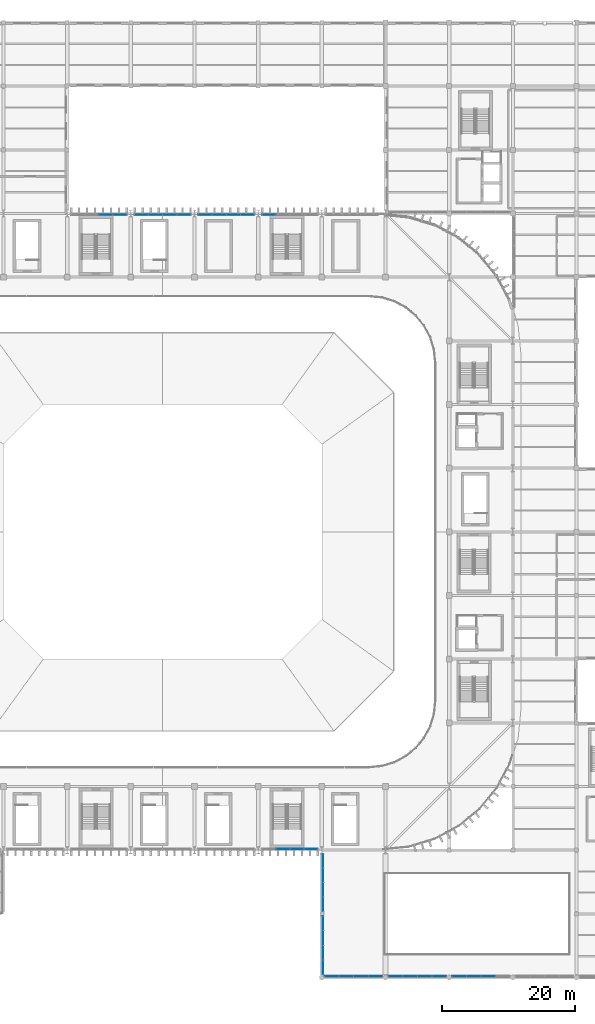
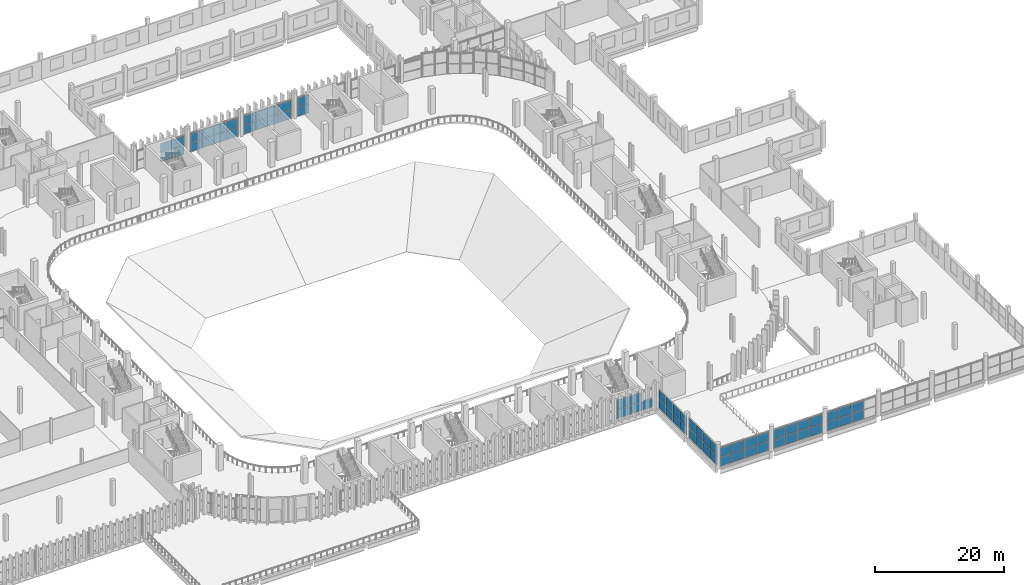
# One storey, part 53 of 99: 65 plates, 10 elements without a shape of their own.
"""IFC4 building model written with IfcOpenShell, lengths in metres."""

from ifc_helpers import new_model, si_unit, direction, frame, origin, origin_2d, place, context, subcontext, project, spatial, rectangle, extrude, material, layer, layer_set, type_object, element, aggregate, save


model = new_model("IFC4")

# Units and contexts
model_context = context("Model", 3, precision=1e-05, world=origin(), true_north=direction((0.0, 1.0)))
body_context = subcontext(model_context, "Body", "Model", "MODEL_VIEW")
ifc_project = project(units=[si_unit("LENGTHUNIT", "METRE"), si_unit("AREAUNIT", "SQUARE_METRE"), si_unit("VOLUMEUNIT", "CUBIC_METRE"), si_unit("PLANEANGLEUNIT", "RADIAN"), si_unit("MASSUNIT", "GRAM", prefix="KILO")], contexts=[model_context])

# Site, building, storey
site_placement = place(None, origin())
site = spatial("IfcSite", under=ifc_project, at=site_placement, CompositionType="ELEMENT")
building_placement = place(site_placement, origin())
building = spatial("IfcBuilding", under=site, at=building_placement, Name="Caelomonte Colonnade Arena", CompositionType="ELEMENT")
storey_placement = place(building_placement, frame((0.0, 0.0, 4.800048828125)))
storey = spatial("IfcBuildingStorey", under=building, at=storey_placement, Name="L01", CompositionType="ELEMENT", Elevation=4.800048828125)

# Curtain wall, plates
ifc_material_1 = material(Name="Bronze anodised aluminium and low-E glazing", Category="aluminium")
ifc_layer_1 = layer(ifc_material_1, 0.179931640625)
ifc_layer_set_1 = layer_set([ifc_layer_1], Name="Bronze anodised aluminium and low-E glazing")
curtain_wall_type_1 = type_object("IfcCurtainWallType", Name="ENV-CW-CW-L01-96-36", PredefinedType="USERDEFINED", material=ifc_layer_set_1)
curtain_wall_1_placement = place(storey_placement, origin())
curtain_wall_1 = element("IfcCurtainWall", 1, at=curtain_wall_1_placement, inside=storey, type_object=curtain_wall_type_1, Name="L01 unitized curtain wall CW-L01-1296-0194", ObjectType="UNITIZED CURTAIN WALL", PredefinedType="USERDEFINED")
ifc_material_2 = material(Name="Solar-control bronze low-E double glazing", Category="glass")
ifc_layer_2 = layer(ifc_material_2, 0.028076171875)
ifc_layer_set_2 = layer_set([ifc_layer_2], Name="Solar-control bronze low-E double glazing")
plate_type = type_object("IfcPlateType", Name="ENV-CW-PAN28", PredefinedType="CURTAIN_PANEL", material=ifc_layer_set_2)
plate_1_placement = place(storey_placement, frame((128.531494140625, 19.3798828125, 0.070068359375), z_axis=(0.0, 0.0, 1.0), x_axis=(1.0, 0.0, 0.0)))
plate_1 = element("IfcPlate", 2, at=plate_1_placement, type_object=plate_type, Name="CW-L01-96-36 panel 2.1", PredefinedType="CURTAIN_PANEL", context=body_context, shape_type="SweptSolid", body=[
    extrude(rectangle(XDim=2.067138671875, YDim=0.028076171875, at=origin_2d()), origin(), (0.0, 0.0, 1.0), 1.69140625),
])
plate_2_placement = place(storey_placement, frame((128.531494140625, 19.3798828125, 1.83154296875), z_axis=(0.0, 0.0, 1.0), x_axis=(1.0, 0.0, 0.0)))
plate_2 = element("IfcPlate", 3, at=plate_2_placement, type_object=plate_type, Name="CW-L01-96-36 panel 2.2", PredefinedType="CURTAIN_PANEL", context=body_context, shape_type="SweptSolid", body=[
    extrude(rectangle(XDim=2.067138671875, YDim=0.028076171875, at=origin_2d()), origin(), (0.0, 0.0, 1.0), 1.69140625),
])
plate_3_placement = place(storey_placement, frame((130.668701171875, 19.3798828125, 0.070068359375), z_axis=(0.0, 0.0, 1.0), x_axis=(1.0, 0.0, 0.0)))
plate_3 = element("IfcPlate", 4, at=plate_3_placement, type_object=plate_type, Name="CW-L01-96-36 panel 3.1", PredefinedType="CURTAIN_PANEL", context=body_context, shape_type="SweptSolid", body=[
    extrude(rectangle(XDim=2.067138671875, YDim=0.028076171875, at=origin_2d()), origin(), (0.0, 0.0, 1.0), 1.69140625),
])
plate_4_placement = place(storey_placement, frame((130.668701171875, 19.3798828125, 1.83154296875), z_axis=(0.0, 0.0, 1.0), x_axis=(1.0, 0.0, 0.0)))
plate_4 = element("IfcPlate", 5, at=plate_4_placement, type_object=plate_type, Name="CW-L01-96-36 panel 3.2", PredefinedType="CURTAIN_PANEL", context=body_context, shape_type="SweptSolid", body=[
    extrude(rectangle(XDim=2.067138671875, YDim=0.028076171875, at=origin_2d()), origin(), (0.0, 0.0, 1.0), 1.69140625),
])
plate_5_placement = place(storey_placement, frame((132.788330078125, 19.3798828125, 0.070068359375), z_axis=(0.0, 0.0, 1.0), x_axis=(1.0, 0.0, 0.0)))
plate_5 = element("IfcPlate", 6, at=plate_5_placement, type_object=plate_type, Name="CW-L01-96-36 panel 4.1", PredefinedType="CURTAIN_PANEL", context=body_context, shape_type="SweptSolid", body=[
    extrude(rectangle(XDim=2.0322265625, YDim=0.028076171875, at=origin_2d()), origin(), (0.0, 0.0, 1.0), 1.69140625),
])
aggregate(curtain_wall_1, [plate_1, plate_2, plate_3, plate_4, plate_5])

ifc_layer_3 = layer(ifc_material_1, 0.179931640625)
ifc_layer_set_3 = layer_set([ifc_layer_3], Name="Bronze anodised aluminium and low-E glazing")
curtain_wall_type_2 = type_object("IfcCurtainWallType", Name="ENV-CW-CW-L01-100-36", PredefinedType="USERDEFINED", material=ifc_layer_set_3)
curtain_wall_2_placement = place(storey_placement, origin())
curtain_wall_2 = element("IfcCurtainWall", 7, at=curtain_wall_2_placement, inside=storey, type_object=curtain_wall_type_2, Name="L01 unitized curtain wall CW-L01-1346-0146", ObjectType="UNITIZED CURTAIN WALL", PredefinedType="USERDEFINED")
plate_6_placement = place(storey_placement, frame((134.580078125, 17.56396484375, 0.06494140625), z_axis=(0.0, 0.0, 1.0), x_axis=(0.0, -1.0, 0.0)))
plate_6 = element("IfcPlate", 8, at=plate_6_placement, type_object=plate_type, Name="CW-L01-100-36 panel 1.1", PredefinedType="CURTAIN_PANEL", context=body_context, shape_type="SweptSolid", body=[
    extrude(rectangle(XDim=2.091064453125, YDim=0.028076171875, at=origin_2d()), origin(), (0.0, 0.0, 1.0), 1.698974609375),
])
plate_7_placement = place(storey_placement, frame((134.580078125, 17.56396484375, 1.8291015625), z_axis=(0.0, 0.0, 1.0), x_axis=(0.0, -1.0, 0.0)))
plate_7 = element("IfcPlate", 9, at=plate_7_placement, type_object=plate_type, Name="CW-L01-100-36 panel 1.2", PredefinedType="CURTAIN_PANEL", context=body_context, shape_type="SweptSolid", body=[
    extrude(rectangle(XDim=2.091064453125, YDim=0.028076171875, at=origin_2d()), origin(), (0.0, 0.0, 1.0), 1.698974609375),
])
plate_8_placement = place(storey_placement, frame((134.580078125, 15.3916015625, 0.06494140625), z_axis=(0.0, 0.0, 1.0), x_axis=(0.0, -1.0, 0.0)))
plate_8 = element("IfcPlate", 10, at=plate_8_placement, type_object=plate_type, Name="CW-L01-100-36 panel 2.1", PredefinedType="CURTAIN_PANEL", context=body_context, shape_type="SweptSolid", body=[
    extrude(rectangle(XDim=2.12353515625, YDim=0.028076171875, at=origin_2d()), origin(), (0.0, 0.0, 1.0), 1.698974609375),
])
plate_9_placement = place(storey_placement, frame((134.580078125, 15.3916015625, 1.8291015625), z_axis=(0.0, 0.0, 1.0), x_axis=(0.0, -1.0, 0.0)))
plate_9 = element("IfcPlate", 11, at=plate_9_placement, type_object=plate_type, Name="CW-L01-100-36 panel 2.2", PredefinedType="CURTAIN_PANEL", context=body_context, shape_type="SweptSolid", body=[
    extrude(rectangle(XDim=2.12353515625, YDim=0.028076171875, at=origin_2d()), origin(), (0.0, 0.0, 1.0), 1.698974609375),
])
plate_10_placement = place(storey_placement, frame((134.580078125, 13.202880859375, 0.06494140625), z_axis=(0.0, 0.0, 1.0), x_axis=(0.0, -1.0, 0.0)))
plate_10 = element("IfcPlate", 12, at=plate_10_placement, type_object=plate_type, Name="CW-L01-100-36 panel 3.1", PredefinedType="CURTAIN_PANEL", context=body_context, shape_type="SweptSolid", body=[
    extrude(rectangle(XDim=2.12353515625, YDim=0.028076171875, at=origin_2d()), origin(), (0.0, 0.0, 1.0), 1.698974609375),
])
plate_11_placement = place(storey_placement, frame((134.580078125, 13.202880859375, 1.8291015625), z_axis=(0.0, 0.0, 1.0), x_axis=(0.0, -1.0, 0.0)))
plate_11 = element("IfcPlate", 13, at=plate_11_placement, type_object=plate_type, Name="CW-L01-100-36 panel 3.2", PredefinedType="CURTAIN_PANEL", context=body_context, shape_type="SweptSolid", body=[
    extrude(rectangle(XDim=2.12353515625, YDim=0.028076171875, at=origin_2d()), origin(), (0.0, 0.0, 1.0), 1.698974609375),
])
plate_12_placement = place(storey_placement, frame((134.580078125, 11.030517578125, 0.06494140625), z_axis=(0.0, 0.0, 1.0), x_axis=(0.0, -1.0, 0.0)))
plate_12 = element("IfcPlate", 14, at=plate_12_placement, type_object=plate_type, Name="CW-L01-100-36 panel 4.1", PredefinedType="CURTAIN_PANEL", context=body_context, shape_type="SweptSolid", body=[
    extrude(rectangle(XDim=2.091064453125, YDim=0.028076171875, at=origin_2d()), origin(), (0.0, 0.0, 1.0), 1.698974609375),
])
plate_13_placement = place(storey_placement, frame((134.580078125, 11.030517578125, 1.8291015625), z_axis=(0.0, 0.0, 1.0), x_axis=(0.0, -1.0, 0.0)))
plate_13 = element("IfcPlate", 15, at=plate_13_placement, type_object=plate_type, Name="CW-L01-100-36 panel 4.2", PredefinedType="CURTAIN_PANEL", context=body_context, shape_type="SweptSolid", body=[
    extrude(rectangle(XDim=2.091064453125, YDim=0.028076171875, at=origin_2d()), origin(), (0.0, 0.0, 1.0), 1.698974609375),
])
aggregate(curtain_wall_2, [plate_6, plate_7, plate_8, plate_9, plate_10, plate_11, plate_12, plate_13])

ifc_layer_4 = layer(ifc_material_1, 0.179931640625)
ifc_layer_set_4 = layer_set([ifc_layer_4], Name="Bronze anodised aluminium and low-E glazing")
curtain_wall_type_3 = type_object("IfcCurtainWallType", Name="ENV-CW-CW-L01-92-39", PredefinedType="USERDEFINED", material=ifc_layer_set_4)
curtain_wall_3_placement = place(storey_placement, origin())
curtain_wall_3 = element("IfcCurtainWall", 16, at=curtain_wall_3_placement, inside=storey, type_object=curtain_wall_type_3, Name="L01 unitized curtain wall CW-L01-1346-0050", ObjectType="UNITIZED CURTAIN WALL", PredefinedType="USERDEFINED")
plate_14_placement = place(storey_placement, frame((134.580078125, 8.153076171875, 0.06494140625), z_axis=(0.0, 0.0, 1.0), x_axis=(0.0, -1.0, 0.0)))
plate_14 = element("IfcPlate", 17, at=plate_14_placement, type_object=plate_type, Name="CW-L01-92-39 panel 1.1", PredefinedType="CURTAIN_PANEL", context=body_context, shape_type="SweptSolid", body=[
    extrude(rectangle(XDim=2.123779296875, YDim=0.028076171875, at=origin_2d()), origin(), (0.0, 0.0, 1.0), 1.85888671875),
])
plate_15_placement = place(storey_placement, frame((134.580078125, 8.153076171875, 1.989013671875), z_axis=(0.0, 0.0, 1.0), x_axis=(0.0, -1.0, 0.0)))
plate_15 = element("IfcPlate", 18, at=plate_15_placement, type_object=plate_type, Name="CW-L01-92-39 panel 1.2", PredefinedType="CURTAIN_PANEL", context=body_context, shape_type="SweptSolid", body=[
    extrude(rectangle(XDim=2.123779296875, YDim=0.028076171875, at=origin_2d()), origin(), (0.0, 0.0, 1.0), 1.85888671875),
])
plate_16_placement = place(storey_placement, frame((134.580078125, 5.9482421875, 0.06494140625), z_axis=(0.0, 0.0, 1.0), x_axis=(0.0, -1.0, 0.0)))
plate_16 = element("IfcPlate", 19, at=plate_16_placement, type_object=plate_type, Name="CW-L01-92-39 panel 2.1", PredefinedType="CURTAIN_PANEL", context=body_context, shape_type="SweptSolid", body=[
    extrude(rectangle(XDim=2.15625, YDim=0.028076171875, at=origin_2d()), origin(), (0.0, 0.0, 1.0), 1.85888671875),
])
plate_17_placement = place(storey_placement, frame((134.580078125, 5.9482421875, 1.989013671875), z_axis=(0.0, 0.0, 1.0), x_axis=(0.0, -1.0, 0.0)))
plate_17 = element("IfcPlate", 20, at=plate_17_placement, type_object=plate_type, Name="CW-L01-92-39 panel 2.2", PredefinedType="CURTAIN_PANEL", context=body_context, shape_type="SweptSolid", body=[
    extrude(rectangle(XDim=2.15625, YDim=0.028076171875, at=origin_2d()), origin(), (0.0, 0.0, 1.0), 1.85888671875),
])
plate_18_placement = place(storey_placement, frame((134.580078125, 3.726806640625, 0.06494140625), z_axis=(0.0, 0.0, 1.0), x_axis=(0.0, -1.0, 0.0)))
plate_18 = element("IfcPlate", 21, at=plate_18_placement, type_object=plate_type, Name="CW-L01-92-39 panel 3.1", PredefinedType="CURTAIN_PANEL", context=body_context, shape_type="SweptSolid", body=[
    extrude(rectangle(XDim=2.15625, YDim=0.028076171875, at=origin_2d()), origin(), (0.0, 0.0, 1.0), 1.85888671875),
])
plate_19_placement = place(storey_placement, frame((134.580078125, 3.726806640625, 1.989013671875), z_axis=(0.0, 0.0, 1.0), x_axis=(0.0, -1.0, 0.0)))
plate_19 = element("IfcPlate", 22, at=plate_19_placement, type_object=plate_type, Name="CW-L01-92-39 panel 3.2", PredefinedType="CURTAIN_PANEL", context=body_context, shape_type="SweptSolid", body=[
    extrude(rectangle(XDim=2.15625, YDim=0.028076171875, at=origin_2d()), origin(), (0.0, 0.0, 1.0), 1.85888671875),
])
plate_20_placement = place(storey_placement, frame((134.580078125, 1.52197265625, 0.06494140625), z_axis=(0.0, 0.0, 1.0), x_axis=(0.0, -1.0, 0.0)))
plate_20 = element("IfcPlate", 23, at=plate_20_placement, type_object=plate_type, Name="CW-L01-92-39 panel 4.1", PredefinedType="CURTAIN_PANEL", context=body_context, shape_type="SweptSolid", body=[
    extrude(rectangle(XDim=2.123779296875, YDim=0.028076171875, at=origin_2d()), origin(), (0.0, 0.0, 1.0), 1.85888671875),
])
plate_21_placement = place(storey_placement, frame((134.580078125, 1.52197265625, 1.989013671875), z_axis=(0.0, 0.0, 1.0), x_axis=(0.0, -1.0, 0.0)))
plate_21 = element("IfcPlate", 24, at=plate_21_placement, type_object=plate_type, Name="CW-L01-92-39 panel 4.2", PredefinedType="CURTAIN_PANEL", context=body_context, shape_type="SweptSolid", body=[
    extrude(rectangle(XDim=2.123779296875, YDim=0.028076171875, at=origin_2d()), origin(), (0.0, 0.0, 1.0), 1.85888671875),
])
aggregate(curtain_wall_3, [plate_14, plate_15, plate_16, plate_17, plate_18, plate_19, plate_20, plate_21])

ifc_layer_5 = layer(ifc_material_1, 0.179931640625)
ifc_layer_set_5 = layer_set([ifc_layer_5], Name="Bronze anodised aluminium and low-E glazing")
curtain_wall_type_4 = type_object("IfcCurtainWallType", Name="ENV-CW-CW-L01-89-36", PredefinedType="USERDEFINED", material=ifc_layer_set_5)
curtain_wall_4_placement = place(storey_placement, origin())
curtain_wall_4 = element("IfcCurtainWall", 25, at=curtain_wall_4_placement, inside=storey, type_object=curtain_wall_type_4, Name="L01 unitized curtain wall CW-L01-1392-0002", ObjectType="UNITIZED CURTAIN WALL", PredefinedType="USERDEFINED")
plate_22_placement = place(storey_placement, frame((135.91259765625, 0.179931640625, 0.06494140625), z_axis=(0.0, 0.0, 1.0), x_axis=(1.0, 0.0, 0.0)))
plate_22 = element("IfcPlate", 26, at=plate_22_placement, type_object=plate_type, Name="CW-L01-89-36 panel 1.1", PredefinedType="CURTAIN_PANEL", context=body_context, shape_type="SweptSolid", body=[
    extrude(rectangle(XDim=2.10498046875, YDim=0.028076171875, at=origin_2d()), origin(), (0.0, 0.0, 1.0), 1.698974609375),
])
plate_23_placement = place(storey_placement, frame((135.91259765625, 0.179931640625, 1.8291015625), z_axis=(0.0, 0.0, 1.0), x_axis=(1.0, 0.0, 0.0)))
plate_23 = element("IfcPlate", 27, at=plate_23_placement, type_object=plate_type, Name="CW-L01-89-36 panel 1.2", PredefinedType="CURTAIN_PANEL", context=body_context, shape_type="SweptSolid", body=[
    extrude(rectangle(XDim=2.10498046875, YDim=0.028076171875, at=origin_2d()), origin(), (0.0, 0.0, 1.0), 1.698974609375),
])
plate_24_placement = place(storey_placement, frame((138.0986328125, 0.179931640625, 0.06494140625), z_axis=(0.0, 0.0, 1.0), x_axis=(1.0, 0.0, 0.0)))
plate_24 = element("IfcPlate", 28, at=plate_24_placement, type_object=plate_type, Name="CW-L01-89-36 panel 2.1", PredefinedType="CURTAIN_PANEL", context=body_context, shape_type="SweptSolid", body=[
    extrude(rectangle(XDim=2.137451171875, YDim=0.028076171875, at=origin_2d()), origin(), (0.0, 0.0, 1.0), 1.698974609375),
])
plate_25_placement = place(storey_placement, frame((138.0986328125, 0.179931640625, 1.8291015625), z_axis=(0.0, 0.0, 1.0), x_axis=(1.0, 0.0, 0.0)))
plate_25 = element("IfcPlate", 29, at=plate_25_placement, type_object=plate_type, Name="CW-L01-89-36 panel 2.2", PredefinedType="CURTAIN_PANEL", context=body_context, shape_type="SweptSolid", body=[
    extrude(rectangle(XDim=2.137451171875, YDim=0.028076171875, at=origin_2d()), origin(), (0.0, 0.0, 1.0), 1.698974609375),
])
plate_26_placement = place(storey_placement, frame((140.30126953125, 0.179931640625, 0.06494140625), z_axis=(0.0, 0.0, 1.0), x_axis=(1.0, 0.0, 0.0)))
plate_26 = element("IfcPlate", 30, at=plate_26_placement, type_object=plate_type, Name="CW-L01-89-36 panel 3.1", PredefinedType="CURTAIN_PANEL", context=body_context, shape_type="SweptSolid", body=[
    extrude(rectangle(XDim=2.137451171875, YDim=0.028076171875, at=origin_2d()), origin(), (0.0, 0.0, 1.0), 1.698974609375),
])
plate_27_placement = place(storey_placement, frame((140.30126953125, 0.179931640625, 1.8291015625), z_axis=(0.0, 0.0, 1.0), x_axis=(1.0, 0.0, 0.0)))
plate_27 = element("IfcPlate", 31, at=plate_27_placement, type_object=plate_type, Name="CW-L01-89-36 panel 3.2", PredefinedType="CURTAIN_PANEL", context=body_context, shape_type="SweptSolid", body=[
    extrude(rectangle(XDim=2.137451171875, YDim=0.028076171875, at=origin_2d()), origin(), (0.0, 0.0, 1.0), 1.698974609375),
])
plate_28_placement = place(storey_placement, frame((142.487548828125, 0.179931640625, 0.06494140625), z_axis=(0.0, 0.0, 1.0), x_axis=(1.0, 0.0, 0.0)))
plate_28 = element("IfcPlate", 32, at=plate_28_placement, type_object=plate_type, Name="CW-L01-89-36 panel 4.1", PredefinedType="CURTAIN_PANEL", context=body_context, shape_type="SweptSolid", body=[
    extrude(rectangle(XDim=2.10498046875, YDim=0.028076171875, at=origin_2d()), origin(), (0.0, 0.0, 1.0), 1.698974609375),
])
plate_29_placement = place(storey_placement, frame((142.487548828125, 0.179931640625, 1.8291015625), z_axis=(0.0, 0.0, 1.0), x_axis=(1.0, 0.0, 0.0)))
plate_29 = element("IfcPlate", 33, at=plate_29_placement, type_object=plate_type, Name="CW-L01-89-36 panel 4.2", PredefinedType="CURTAIN_PANEL", context=body_context, shape_type="SweptSolid", body=[
    extrude(rectangle(XDim=2.10498046875, YDim=0.028076171875, at=origin_2d()), origin(), (0.0, 0.0, 1.0), 1.698974609375),
])
aggregate(curtain_wall_4, [plate_22, plate_23, plate_24, plate_25, plate_26, plate_27, plate_28, plate_29])

curtain_wall_5_placement = place(storey_placement, origin())
curtain_wall_5 = element("IfcCurtainWall", 34, at=curtain_wall_5_placement, inside=storey, type_object=curtain_wall_type_4, Name="L01 unitized curtain wall CW-L01-1488-0002", ObjectType="UNITIZED CURTAIN WALL", PredefinedType="USERDEFINED")
plate_30_placement = place(storey_placement, frame((145.512451171875, 0.179931640625, 0.06494140625), z_axis=(0.0, 0.0, 1.0), x_axis=(1.0, 0.0, 0.0)))
plate_30 = element("IfcPlate", 35, at=plate_30_placement, type_object=plate_type, Name="CW-L01-89-36 panel 1.1", PredefinedType="CURTAIN_PANEL", context=body_context, shape_type="SweptSolid", body=[
    extrude(rectangle(XDim=2.10498046875, YDim=0.028076171875, at=origin_2d()), origin(), (0.0, 0.0, 1.0), 1.698974609375),
])
plate_31_placement = place(storey_placement, frame((145.512451171875, 0.179931640625, 1.8291015625), z_axis=(0.0, 0.0, 1.0), x_axis=(1.0, 0.0, 0.0)))
plate_31 = element("IfcPlate", 36, at=plate_31_placement, type_object=plate_type, Name="CW-L01-89-36 panel 1.2", PredefinedType="CURTAIN_PANEL", context=body_context, shape_type="SweptSolid", body=[
    extrude(rectangle(XDim=2.10498046875, YDim=0.028076171875, at=origin_2d()), origin(), (0.0, 0.0, 1.0), 1.698974609375),
])
plate_32_placement = place(storey_placement, frame((147.69873046875, 0.179931640625, 0.06494140625), z_axis=(0.0, 0.0, 1.0), x_axis=(1.0, 0.0, 0.0)))
plate_32 = element("IfcPlate", 37, at=plate_32_placement, type_object=plate_type, Name="CW-L01-89-36 panel 2.1", PredefinedType="CURTAIN_PANEL", context=body_context, shape_type="SweptSolid", body=[
    extrude(rectangle(XDim=2.137451171875, YDim=0.028076171875, at=origin_2d()), origin(), (0.0, 0.0, 1.0), 1.698974609375),
])
plate_33_placement = place(storey_placement, frame((147.69873046875, 0.179931640625, 1.8291015625), z_axis=(0.0, 0.0, 1.0), x_axis=(1.0, 0.0, 0.0)))
plate_33 = element("IfcPlate", 38, at=plate_33_placement, type_object=plate_type, Name="CW-L01-89-36 panel 2.2", PredefinedType="CURTAIN_PANEL", context=body_context, shape_type="SweptSolid", body=[
    extrude(rectangle(XDim=2.137451171875, YDim=0.028076171875, at=origin_2d()), origin(), (0.0, 0.0, 1.0), 1.698974609375),
])
plate_34_placement = place(storey_placement, frame((149.9013671875, 0.179931640625, 0.06494140625), z_axis=(0.0, 0.0, 1.0), x_axis=(1.0, 0.0, 0.0)))
plate_34 = element("IfcPlate", 39, at=plate_34_placement, type_object=plate_type, Name="CW-L01-89-36 panel 3.1", PredefinedType="CURTAIN_PANEL", context=body_context, shape_type="SweptSolid", body=[
    extrude(rectangle(XDim=2.137451171875, YDim=0.028076171875, at=origin_2d()), origin(), (0.0, 0.0, 1.0), 1.698974609375),
])
plate_35_placement = place(storey_placement, frame((149.9013671875, 0.179931640625, 1.8291015625), z_axis=(0.0, 0.0, 1.0), x_axis=(1.0, 0.0, 0.0)))
plate_35 = element("IfcPlate", 40, at=plate_35_placement, type_object=plate_type, Name="CW-L01-89-36 panel 3.2", PredefinedType="CURTAIN_PANEL", context=body_context, shape_type="SweptSolid", body=[
    extrude(rectangle(XDim=2.137451171875, YDim=0.028076171875, at=origin_2d()), origin(), (0.0, 0.0, 1.0), 1.698974609375),
])
plate_36_placement = place(storey_placement, frame((152.08740234375, 0.179931640625, 0.06494140625), z_axis=(0.0, 0.0, 1.0), x_axis=(1.0, 0.0, 0.0)))
plate_36 = element("IfcPlate", 41, at=plate_36_placement, type_object=plate_type, Name="CW-L01-89-36 panel 4.1", PredefinedType="CURTAIN_PANEL", context=body_context, shape_type="SweptSolid", body=[
    extrude(rectangle(XDim=2.10498046875, YDim=0.028076171875, at=origin_2d()), origin(), (0.0, 0.0, 1.0), 1.698974609375),
])
plate_37_placement = place(storey_placement, frame((152.08740234375, 0.179931640625, 1.8291015625), z_axis=(0.0, 0.0, 1.0), x_axis=(1.0, 0.0, 0.0)))
plate_37 = element("IfcPlate", 42, at=plate_37_placement, type_object=plate_type, Name="CW-L01-89-36 panel 4.2", PredefinedType="CURTAIN_PANEL", context=body_context, shape_type="SweptSolid", body=[
    extrude(rectangle(XDim=2.10498046875, YDim=0.028076171875, at=origin_2d()), origin(), (0.0, 0.0, 1.0), 1.698974609375),
])
aggregate(curtain_wall_5, [plate_30, plate_31, plate_32, plate_33, plate_34, plate_35, plate_36, plate_37])

curtain_wall_6_placement = place(storey_placement, origin())
curtain_wall_6 = element("IfcCurtainWall", 43, at=curtain_wall_6_placement, inside=storey, type_object=curtain_wall_type_4, Name="L01 unitized curtain wall CW-L01-1584-0002", ObjectType="UNITIZED CURTAIN WALL", PredefinedType="USERDEFINED")
plate_38_placement = place(storey_placement, frame((155.112548828125, 0.179931640625, 0.06494140625), z_axis=(0.0, 0.0, 1.0), x_axis=(1.0, 0.0, 0.0)))
plate_38 = element("IfcPlate", 44, at=plate_38_placement, type_object=plate_type, Name="CW-L01-89-36 panel 1.1", PredefinedType="CURTAIN_PANEL", context=body_context, shape_type="SweptSolid", body=[
    extrude(rectangle(XDim=2.10498046875, YDim=0.028076171875, at=origin_2d()), origin(), (0.0, 0.0, 1.0), 1.698974609375),
])
plate_39_placement = place(storey_placement, frame((155.112548828125, 0.179931640625, 1.8291015625), z_axis=(0.0, 0.0, 1.0), x_axis=(1.0, 0.0, 0.0)))
plate_39 = element("IfcPlate", 45, at=plate_39_placement, type_object=plate_type, Name="CW-L01-89-36 panel 1.2", PredefinedType="CURTAIN_PANEL", context=body_context, shape_type="SweptSolid", body=[
    extrude(rectangle(XDim=2.10498046875, YDim=0.028076171875, at=origin_2d()), origin(), (0.0, 0.0, 1.0), 1.698974609375),
])
plate_40_placement = place(storey_placement, frame((157.298828125, 0.179931640625, 0.06494140625), z_axis=(0.0, 0.0, 1.0), x_axis=(1.0, 0.0, 0.0)))
plate_40 = element("IfcPlate", 46, at=plate_40_placement, type_object=plate_type, Name="CW-L01-89-36 panel 2.1", PredefinedType="CURTAIN_PANEL", context=body_context, shape_type="SweptSolid", body=[
    extrude(rectangle(XDim=2.137451171875, YDim=0.028076171875, at=origin_2d()), origin(), (0.0, 0.0, 1.0), 1.698974609375),
])
plate_41_placement = place(storey_placement, frame((157.298828125, 0.179931640625, 1.8291015625), z_axis=(0.0, 0.0, 1.0), x_axis=(1.0, 0.0, 0.0)))
plate_41 = element("IfcPlate", 47, at=plate_41_placement, type_object=plate_type, Name="CW-L01-89-36 panel 2.2", PredefinedType="CURTAIN_PANEL", context=body_context, shape_type="SweptSolid", body=[
    extrude(rectangle(XDim=2.137451171875, YDim=0.028076171875, at=origin_2d()), origin(), (0.0, 0.0, 1.0), 1.698974609375),
])
plate_42_placement = place(storey_placement, frame((159.501220703125, 0.179931640625, 0.06494140625), z_axis=(0.0, 0.0, 1.0), x_axis=(1.0, 0.0, 0.0)))
plate_42 = element("IfcPlate", 48, at=plate_42_placement, type_object=plate_type, Name="CW-L01-89-36 panel 3.1", PredefinedType="CURTAIN_PANEL", context=body_context, shape_type="SweptSolid", body=[
    extrude(rectangle(XDim=2.137451171875, YDim=0.028076171875, at=origin_2d()), origin(), (0.0, 0.0, 1.0), 1.698974609375),
])
plate_43_placement = place(storey_placement, frame((159.501220703125, 0.179931640625, 1.8291015625), z_axis=(0.0, 0.0, 1.0), x_axis=(1.0, 0.0, 0.0)))
plate_43 = element("IfcPlate", 49, at=plate_43_placement, type_object=plate_type, Name="CW-L01-89-36 panel 3.2", PredefinedType="CURTAIN_PANEL", context=body_context, shape_type="SweptSolid", body=[
    extrude(rectangle(XDim=2.137451171875, YDim=0.028076171875, at=origin_2d()), origin(), (0.0, 0.0, 1.0), 1.698974609375),
])
aggregate(curtain_wall_6, [plate_38, plate_39, plate_40, plate_41, plate_42, plate_43])

curtain_wall_7_placement = place(storey_placement, origin())
curtain_wall_7 = element("IfcCurtainWall", 50, at=curtain_wall_7_placement, inside=storey, type_object=curtain_wall_type_1, Name="L01 unitized curtain wall CW-L01-1296-1150", ObjectType="UNITIZED CURTAIN WALL", PredefinedType="USERDEFINED")
plate_44_placement = place(storey_placement, frame((126.41162109375, 115.02001953125, 0.070068359375), z_axis=(0.0, 0.0, 1.0), x_axis=(-1.0, 0.0, 0.0)))
plate_44 = element("IfcPlate", 51, at=plate_44_placement, type_object=plate_type, Name="CW-L01-96-36 panel 4.1", PredefinedType="CURTAIN_PANEL", context=body_context, shape_type="SweptSolid", body=[
    extrude(rectangle(XDim=2.0322265625, YDim=0.028076171875, at=origin_2d()), origin(), (0.0, 0.0, 1.0), 1.69140625),
])
plate_45_placement = place(storey_placement, frame((126.41162109375, 115.02001953125, 1.83154296875), z_axis=(0.0, 0.0, 1.0), x_axis=(-1.0, 0.0, 0.0)))
plate_45 = element("IfcPlate", 52, at=plate_45_placement, type_object=plate_type, Name="CW-L01-96-36 panel 4.2", PredefinedType="CURTAIN_PANEL", context=body_context, shape_type="SweptSolid", body=[
    extrude(rectangle(XDim=2.0322265625, YDim=0.028076171875, at=origin_2d()), origin(), (0.0, 0.0, 1.0), 1.69140625),
])
aggregate(curtain_wall_7, [plate_44, plate_45])

curtain_wall_8_placement = place(storey_placement, origin())
curtain_wall_8 = element("IfcCurtainWall", 53, at=curtain_wall_8_placement, inside=storey, type_object=curtain_wall_type_1, Name="L01 unitized curtain wall CW-L01-1200-1150", ObjectType="UNITIZED CURTAIN WALL", PredefinedType="USERDEFINED")
plate_46_placement = place(storey_placement, frame((123.1884765625, 115.02001953125, 0.070068359375), z_axis=(0.0, 0.0, 1.0), x_axis=(-1.0, 0.0, 0.0)))
plate_46 = element("IfcPlate", 54, at=plate_46_placement, type_object=plate_type, Name="CW-L01-96-36 panel 1.1", PredefinedType="CURTAIN_PANEL", context=body_context, shape_type="SweptSolid", body=[
    extrude(rectangle(XDim=2.0322265625, YDim=0.028076171875, at=origin_2d()), origin(), (0.0, 0.0, 1.0), 1.69140625),
])
plate_47_placement = place(storey_placement, frame((123.1884765625, 115.02001953125, 1.83154296875), z_axis=(0.0, 0.0, 1.0), x_axis=(-1.0, 0.0, 0.0)))
plate_47 = element("IfcPlate", 55, at=plate_47_placement, type_object=plate_type, Name="CW-L01-96-36 panel 1.2", PredefinedType="CURTAIN_PANEL", context=body_context, shape_type="SweptSolid", body=[
    extrude(rectangle(XDim=2.0322265625, YDim=0.028076171875, at=origin_2d()), origin(), (0.0, 0.0, 1.0), 1.69140625),
])
plate_48_placement = place(storey_placement, frame((121.068603515625, 115.02001953125, 0.070068359375), z_axis=(0.0, 0.0, 1.0), x_axis=(-1.0, 0.0, 0.0)))
plate_48 = element("IfcPlate", 56, at=plate_48_placement, type_object=plate_type, Name="CW-L01-96-36 panel 2.1", PredefinedType="CURTAIN_PANEL", context=body_context, shape_type="SweptSolid", body=[
    extrude(rectangle(XDim=2.067138671875, YDim=0.028076171875, at=origin_2d()), origin(), (0.0, 0.0, 1.0), 1.69140625),
])
plate_49_placement = place(storey_placement, frame((121.068603515625, 115.02001953125, 1.83154296875), z_axis=(0.0, 0.0, 1.0), x_axis=(-1.0, 0.0, 0.0)))
plate_49 = element("IfcPlate", 57, at=plate_49_placement, type_object=plate_type, Name="CW-L01-96-36 panel 2.2", PredefinedType="CURTAIN_PANEL", context=body_context, shape_type="SweptSolid", body=[
    extrude(rectangle(XDim=2.067138671875, YDim=0.028076171875, at=origin_2d()), origin(), (0.0, 0.0, 1.0), 1.69140625),
])
plate_50_placement = place(storey_placement, frame((118.931396484375, 115.02001953125, 0.070068359375), z_axis=(0.0, 0.0, 1.0), x_axis=(-1.0, 0.0, 0.0)))
plate_50 = element("IfcPlate", 58, at=plate_50_placement, type_object=plate_type, Name="CW-L01-96-36 panel 3.1", PredefinedType="CURTAIN_PANEL", context=body_context, shape_type="SweptSolid", body=[
    extrude(rectangle(XDim=2.067138671875, YDim=0.028076171875, at=origin_2d()), origin(), (0.0, 0.0, 1.0), 1.69140625),
])
plate_51_placement = place(storey_placement, frame((118.931396484375, 115.02001953125, 1.83154296875), z_axis=(0.0, 0.0, 1.0), x_axis=(-1.0, 0.0, 0.0)))
plate_51 = element("IfcPlate", 59, at=plate_51_placement, type_object=plate_type, Name="CW-L01-96-36 panel 3.2", PredefinedType="CURTAIN_PANEL", context=body_context, shape_type="SweptSolid", body=[
    extrude(rectangle(XDim=2.067138671875, YDim=0.028076171875, at=origin_2d()), origin(), (0.0, 0.0, 1.0), 1.69140625),
])
plate_52_placement = place(storey_placement, frame((116.8115234375, 115.02001953125, 0.070068359375), z_axis=(0.0, 0.0, 1.0), x_axis=(-1.0, 0.0, 0.0)))
plate_52 = element("IfcPlate", 60, at=plate_52_placement, type_object=plate_type, Name="CW-L01-96-36 panel 4.1", PredefinedType="CURTAIN_PANEL", context=body_context, shape_type="SweptSolid", body=[
    extrude(rectangle(XDim=2.0322265625, YDim=0.028076171875, at=origin_2d()), origin(), (0.0, 0.0, 1.0), 1.69140625),
])
plate_53_placement = place(storey_placement, frame((116.8115234375, 115.02001953125, 1.83154296875), z_axis=(0.0, 0.0, 1.0), x_axis=(-1.0, 0.0, 0.0)))
plate_53 = element("IfcPlate", 61, at=plate_53_placement, type_object=plate_type, Name="CW-L01-96-36 panel 4.2", PredefinedType="CURTAIN_PANEL", context=body_context, shape_type="SweptSolid", body=[
    extrude(rectangle(XDim=2.0322265625, YDim=0.028076171875, at=origin_2d()), origin(), (0.0, 0.0, 1.0), 1.69140625),
])
aggregate(curtain_wall_8, [plate_46, plate_47, plate_48, plate_49, plate_50, plate_51, plate_52, plate_53])

curtain_wall_9_placement = place(storey_placement, origin())
curtain_wall_9 = element("IfcCurtainWall", 62, at=curtain_wall_9_placement, inside=storey, type_object=curtain_wall_type_1, Name="L01 unitized curtain wall CW-L01-1104-1150", ObjectType="UNITIZED CURTAIN WALL", PredefinedType="USERDEFINED")
plate_54_placement = place(storey_placement, frame((113.58837890625, 115.02001953125, 0.070068359375), z_axis=(0.0, 0.0, 1.0), x_axis=(-1.0, 0.0, 0.0)))
plate_54 = element("IfcPlate", 63, at=plate_54_placement, type_object=plate_type, Name="CW-L01-96-36 panel 1.1", PredefinedType="CURTAIN_PANEL", context=body_context, shape_type="SweptSolid", body=[
    extrude(rectangle(XDim=2.0322265625, YDim=0.028076171875, at=origin_2d()), origin(), (0.0, 0.0, 1.0), 1.69140625),
])
plate_55_placement = place(storey_placement, frame((113.58837890625, 115.02001953125, 1.83154296875), z_axis=(0.0, 0.0, 1.0), x_axis=(-1.0, 0.0, 0.0)))
plate_55 = element("IfcPlate", 64, at=plate_55_placement, type_object=plate_type, Name="CW-L01-96-36 panel 1.2", PredefinedType="CURTAIN_PANEL", context=body_context, shape_type="SweptSolid", body=[
    extrude(rectangle(XDim=2.0322265625, YDim=0.028076171875, at=origin_2d()), origin(), (0.0, 0.0, 1.0), 1.69140625),
])
plate_56_placement = place(storey_placement, frame((111.468505859375, 115.02001953125, 0.070068359375), z_axis=(0.0, 0.0, 1.0), x_axis=(-1.0, 0.0, 0.0)))
plate_56 = element("IfcPlate", 65, at=plate_56_placement, type_object=plate_type, Name="CW-L01-96-36 panel 2.1", PredefinedType="CURTAIN_PANEL", context=body_context, shape_type="SweptSolid", body=[
    extrude(rectangle(XDim=2.067138671875, YDim=0.028076171875, at=origin_2d()), origin(), (0.0, 0.0, 1.0), 1.69140625),
])
plate_57_placement = place(storey_placement, frame((111.468505859375, 115.02001953125, 1.83154296875), z_axis=(0.0, 0.0, 1.0), x_axis=(-1.0, 0.0, 0.0)))
plate_57 = element("IfcPlate", 66, at=plate_57_placement, type_object=plate_type, Name="CW-L01-96-36 panel 2.2", PredefinedType="CURTAIN_PANEL", context=body_context, shape_type="SweptSolid", body=[
    extrude(rectangle(XDim=2.067138671875, YDim=0.028076171875, at=origin_2d()), origin(), (0.0, 0.0, 1.0), 1.69140625),
])
plate_58_placement = place(storey_placement, frame((109.331298828125, 115.02001953125, 0.070068359375), z_axis=(0.0, 0.0, 1.0), x_axis=(-1.0, 0.0, 0.0)))
plate_58 = element("IfcPlate", 67, at=plate_58_placement, type_object=plate_type, Name="CW-L01-96-36 panel 3.1", PredefinedType="CURTAIN_PANEL", context=body_context, shape_type="SweptSolid", body=[
    extrude(rectangle(XDim=2.067138671875, YDim=0.028076171875, at=origin_2d()), origin(), (0.0, 0.0, 1.0), 1.69140625),
])
plate_59_placement = place(storey_placement, frame((109.331298828125, 115.02001953125, 1.83154296875), z_axis=(0.0, 0.0, 1.0), x_axis=(-1.0, 0.0, 0.0)))
plate_59 = element("IfcPlate", 68, at=plate_59_placement, type_object=plate_type, Name="CW-L01-96-36 panel 3.2", PredefinedType="CURTAIN_PANEL", context=body_context, shape_type="SweptSolid", body=[
    extrude(rectangle(XDim=2.067138671875, YDim=0.028076171875, at=origin_2d()), origin(), (0.0, 0.0, 1.0), 1.69140625),
])
plate_60_placement = place(storey_placement, frame((107.211669921875, 115.02001953125, 0.070068359375), z_axis=(0.0, 0.0, 1.0), x_axis=(-1.0, 0.0, 0.0)))
plate_60 = element("IfcPlate", 69, at=plate_60_placement, type_object=plate_type, Name="CW-L01-96-36 panel 4.1", PredefinedType="CURTAIN_PANEL", context=body_context, shape_type="SweptSolid", body=[
    extrude(rectangle(XDim=2.0322265625, YDim=0.028076171875, at=origin_2d()), origin(), (0.0, 0.0, 1.0), 1.69140625),
])
plate_61_placement = place(storey_placement, frame((107.211669921875, 115.02001953125, 1.83154296875), z_axis=(0.0, 0.0, 1.0), x_axis=(-1.0, 0.0, 0.0)))
plate_61 = element("IfcPlate", 70, at=plate_61_placement, type_object=plate_type, Name="CW-L01-96-36 panel 4.2", PredefinedType="CURTAIN_PANEL", context=body_context, shape_type="SweptSolid", body=[
    extrude(rectangle(XDim=2.0322265625, YDim=0.028076171875, at=origin_2d()), origin(), (0.0, 0.0, 1.0), 1.69140625),
])
aggregate(curtain_wall_9, [plate_54, plate_55, plate_56, plate_57, plate_58, plate_59, plate_60, plate_61])

curtain_wall_10_placement = place(storey_placement, origin())
curtain_wall_10 = element("IfcCurtainWall", 71, at=curtain_wall_10_placement, inside=storey, type_object=curtain_wall_type_1, Name="L01 unitized curtain wall CW-L01-1008-1150", ObjectType="UNITIZED CURTAIN WALL", PredefinedType="USERDEFINED")
plate_62_placement = place(storey_placement, frame((103.98828125, 115.02001953125, 0.070068359375), z_axis=(0.0, 0.0, 1.0), x_axis=(-1.0, 0.0, 0.0)))
plate_62 = element("IfcPlate", 72, at=plate_62_placement, type_object=plate_type, Name="CW-L01-96-36 panel 1.1", PredefinedType="CURTAIN_PANEL", context=body_context, shape_type="SweptSolid", body=[
    extrude(rectangle(XDim=2.0322265625, YDim=0.028076171875, at=origin_2d()), origin(), (0.0, 0.0, 1.0), 1.69140625),
])
plate_63_placement = place(storey_placement, frame((103.98828125, 115.02001953125, 1.83154296875), z_axis=(0.0, 0.0, 1.0), x_axis=(-1.0, 0.0, 0.0)))
plate_63 = element("IfcPlate", 73, at=plate_63_placement, type_object=plate_type, Name="CW-L01-96-36 panel 1.2", PredefinedType="CURTAIN_PANEL", context=body_context, shape_type="SweptSolid", body=[
    extrude(rectangle(XDim=2.0322265625, YDim=0.028076171875, at=origin_2d()), origin(), (0.0, 0.0, 1.0), 1.69140625),
])
plate_64_placement = place(storey_placement, frame((101.86865234375, 115.02001953125, 0.070068359375), z_axis=(0.0, 0.0, 1.0), x_axis=(-1.0, 0.0, 0.0)))
plate_64 = element("IfcPlate", 74, at=plate_64_placement, type_object=plate_type, Name="CW-L01-96-36 panel 2.1", PredefinedType="CURTAIN_PANEL", context=body_context, shape_type="SweptSolid", body=[
    extrude(rectangle(XDim=2.067138671875, YDim=0.028076171875, at=origin_2d()), origin(), (0.0, 0.0, 1.0), 1.69140625),
])
plate_65_placement = place(storey_placement, frame((101.86865234375, 115.02001953125, 1.83154296875), z_axis=(0.0, 0.0, 1.0), x_axis=(-1.0, 0.0, 0.0)))
plate_65 = element("IfcPlate", 75, at=plate_65_placement, type_object=plate_type, Name="CW-L01-96-36 panel 2.2", PredefinedType="CURTAIN_PANEL", context=body_context, shape_type="SweptSolid", body=[
    extrude(rectangle(XDim=2.067138671875, YDim=0.028076171875, at=origin_2d()), origin(), (0.0, 0.0, 1.0), 1.69140625),
])
aggregate(curtain_wall_10, [plate_62, plate_63, plate_64, plate_65])

save(model, "model.ifc")
